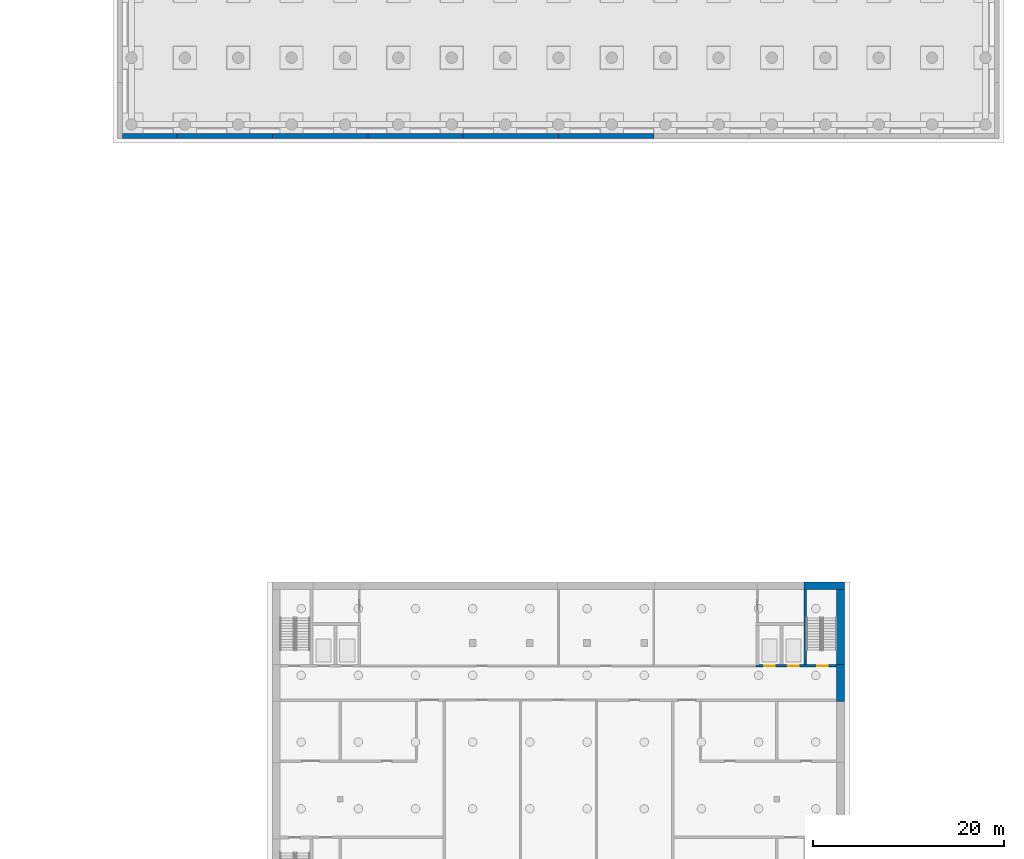
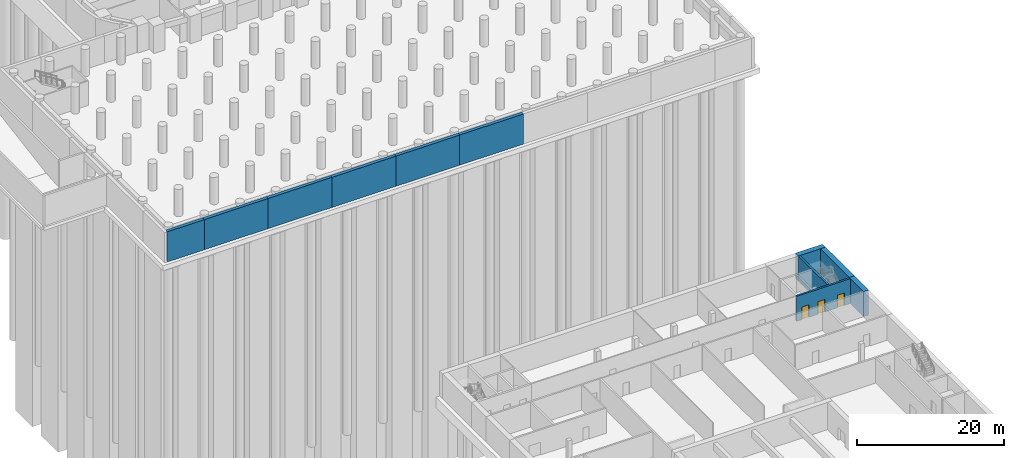
# One storey, part 8 of 23: 11 walls, 3 doors, 3 openings.
"""IFC4 building model written with IfcOpenShell, lengths in metres."""

import ifcopenshell
import ifcopenshell.guid

model = None  # the IFC model being written
_history = None  # IfcOwnerHistory: only IFC2X3 demands one
_inside = {}  # id of a spatial element -> (the spatial element, [elements in it])
_under = {}  # id of a project, library or spatial element -> (it, [spatial elements below it])
_declared = {}  # id of a project -> (the project, [libraries it declares])
_typed = {}  # id of a type object -> (the type object, [elements of that type])
_made_of = {}  # id of a material, layer set ... -> (it, [elements and type objects made of it])


def new_model(schema):
    """Start an empty IFC model of exactly this schema.

    Asked for "IFC4X3", IfcOpenShell would pick the latest addendum, in which some entities
    have other attributes; the version numbers below select the first issue.
    IFC2X3 requires an IfcOwnerHistory on every rooted entity: one is made here for all.
    """
    global model, _history
    if schema == "IFC4X3":
        model = ifcopenshell.file(schema_version=(4, 3, 0, 0))
    else:
        model = ifcopenshell.file(schema=schema)
    _inside.clear()
    _under.clear()
    _declared.clear()
    _typed.clear()
    _made_of.clear()
    _history = None
    if model.schema == "IFC2X3":
        org = make("IfcOrganization", Name="unknown")
        user = make(
            "IfcPersonAndOrganization",
            ThePerson=make("IfcPerson", FamilyName="unknown"),
            TheOrganization=org,
        )
        app = make(
            "IfcApplication",
            ApplicationDeveloper=org,
            Version="unknown",
            ApplicationFullName="unknown",
            ApplicationIdentifier="unknown",
        )
        _history = make(
            "IfcOwnerHistory",
            OwningUser=user,
            OwningApplication=app,
            ChangeAction="ADDED",
            CreationDate=0,
        )
    return model


def make(cls, **values):
    """One entity of the class cls with the attributes given. An attribute that is None is left unset."""
    return model.create_entity(
        cls, **{name: value for name, value in values.items() if value is not None}
    )


def rooted(cls, **values):
    """An entity with a GlobalId (a new one), such as an element, a storey or a relation."""
    return make(cls, GlobalId=ifcopenshell.guid.new(), OwnerHistory=_history, **values)


def si_unit(unit_type, name, prefix=None):
    """IfcSIUnit, for example si_unit("LENGTHUNIT", "METRE", prefix="MILLI")."""
    return make("IfcSIUnit", UnitType=unit_type, Prefix=prefix, Name=name)


def assignment(units):
    """IfcUnitAssignment: the units of a project."""
    return None if units is None else make("IfcUnitAssignment", Units=units)


def point(xyz):
    """IfcCartesianPoint."""
    return None if xyz is None else make("IfcCartesianPoint", Coordinates=xyz)


def direction(xyz):
    """IfcDirection."""
    return None if xyz is None else make("IfcDirection", DirectionRatios=xyz)


def frame(location, z_axis=None, x_axis=None):
    """IfcAxis2Placement3D, a coordinate frame: its origin and axes. An axis left out is left unset."""
    return make(
        "IfcAxis2Placement3D",
        Location=point(location),
        Axis=direction(z_axis),
        RefDirection=direction(x_axis),
    )


def frame_2d(location, x_axis=None):
    """IfcAxis2Placement2D, a coordinate frame in the plane: its origin and x axis."""
    return make(
        "IfcAxis2Placement2D", Location=point(location), RefDirection=direction(x_axis)
    )


def origin():
    """The frame at (0, 0, 0) with its axes left unset."""
    return frame((0.0, 0.0, 0.0))


def place(relative_to, where):
    """IfcLocalPlacement: puts the frame where relative to a parent placement (None: the world)."""
    return make(
        "IfcLocalPlacement", PlacementRelTo=relative_to, RelativePlacement=where
    )


def context(
    kind, dimensions, precision=None, world=None, true_north=None, identifier=None
):
    """IfcGeometricRepresentationContext, for example the 3D "Model" context."""
    return make(
        "IfcGeometricRepresentationContext",
        ContextIdentifier=identifier,
        ContextType=kind,
        CoordinateSpaceDimension=dimensions,
        Precision=precision,
        WorldCoordinateSystem=world,
        TrueNorth=true_north,
    )


def subcontext(parent, identifier, kind, view, scale=None):
    """IfcGeometricRepresentationSubContext, for example "Body" below "Model"."""
    return make(
        "IfcGeometricRepresentationSubContext",
        ContextIdentifier=identifier,
        ContextType=kind,
        ParentContext=parent,
        TargetScale=scale,
        TargetView=view,
    )


def project(units=None, contexts=None):
    """IfcProject with its units and contexts."""
    return rooted(
        "IfcProject",
        Name="project",
        RepresentationContexts=contexts,
        UnitsInContext=assignment(units),
    )


def spatial(cls, under=None, at=None, **own):
    """A site, building, storey or space (cls), placed at a placement, below another one or the project."""
    s = rooted(cls, ObjectPlacement=at, **own)
    if under is not None:
        _under.setdefault(under.id(), (under, []))[1].append(s)
    return s


def polyline(points):
    """IfcPolyline through the points."""
    return make("IfcPolyline", Points=[point(p) for p in points])


def profile(cls, at=None, kind="AREA", **sizes):
    """A parametric profile (cls). Its sizes go by their IFC names, for example OverallWidth=200.0."""
    return make(cls, ProfileType=kind, Position=at, **sizes)


def rectangle(**sizes):
    """IfcRectangleProfileDef."""
    return profile("IfcRectangleProfileDef", **sizes)


def outline(outer, holes=None, kind="AREA"):
    """IfcArbitraryClosedProfileDef: a profile drawn as a closed curve; with holes, ...WithVoids."""
    if holes is None:
        return make("IfcArbitraryClosedProfileDef", ProfileType=kind, OuterCurve=outer)
    return make(
        "IfcArbitraryProfileDefWithVoids",
        ProfileType=kind,
        OuterCurve=outer,
        InnerCurves=holes,
    )


def extrude(swept, where, along, depth):
    """IfcExtrudedAreaSolid: the profile swept, set in the frame where, extruded along a direction by depth."""
    return make(
        "IfcExtrudedAreaSolid",
        SweptArea=swept,
        Position=where,
        ExtrudedDirection=direction(along),
        Depth=depth,
    )


def shape(context_of_items, identifier, shape_type, items):
    """IfcShapeRepresentation: the items that make up one representation, for example the "Body"."""
    return make(
        "IfcShapeRepresentation",
        ContextOfItems=context_of_items,
        RepresentationIdentifier=identifier,
        RepresentationType=shape_type,
        Items=items,
    )


def material(Name=None, Category=None):
    """IfcMaterial."""
    return make("IfcMaterial", Name=Name, Category=Category)


def layer(
    of_material, thickness, ventilated=None, Name=None, Category=None, Priority=None
):
    """IfcMaterialLayer: one layer of a wall or slab, of a material (None: an air gap)."""
    return make(
        "IfcMaterialLayer",
        Material=of_material,
        LayerThickness=thickness,
        IsVentilated=ventilated,
        Name=Name,
        Category=Category,
        Priority=Priority,
    )


def layer_set(layers, Name=None):
    """IfcMaterialLayerSet."""
    return make("IfcMaterialLayerSet", MaterialLayers=layers, LayerSetName=Name)


def made_of(thing, what):
    """Note that an element or type object is made of a material, layer set ...; save() writes the relation."""
    if what is not None:
        _made_of.setdefault(what.id(), (what, []))[1].append(thing)
    return thing


def type_object(cls, material=None, **own):
    """A type object (cls), such as IfcWallType, which elements share."""
    return made_of(rooted(cls, **own), material)


def element(
    cls,
    number,
    at=None,
    inside=None,
    cuts=None,
    type_object=None,
    material=None,
    context=None,
    identifier="Body",
    shape_type=None,
    held_by="IfcProductDefinitionShape",
    body=None,
    shapes=None,
    **own,
):
    """One element of the class cls, such as IfcWall. Its Tag is "e" and its number.

    at: its placement. inside: the storey or other place that contains it. cuts: it is an
    opening in that element (IfcRelVoidsElement). A single representation is given by context,
    identifier, shape_type and body (its items); several are given by shapes. held_by: the class
    of the entity that holds the representations. save() writes the other relations.
    """
    e = rooted(cls, Tag="e%d" % number, ObjectPlacement=at, **own)
    if body is not None:
        shapes = [shape(context, identifier, shape_type, body)]
    if shapes is not None:
        e.Representation = make(held_by, Representations=shapes)
    if inside is not None:
        _inside.setdefault(inside.id(), (inside, []))[1].append(e)
    if cuts is not None:
        rooted(
            "IfcRelVoidsElement", RelatingBuildingElement=cuts, RelatedOpeningElement=e
        )
    if type_object is not None:
        _typed.setdefault(type_object.id(), (type_object, []))[1].append(e)
    return made_of(e, material)


def fill(opening, filler):
    """IfcRelFillsElement: the door or window that sits in an opening."""
    return rooted(
        "IfcRelFillsElement",
        RelatingOpeningElement=opening,
        RelatedBuildingElement=filler,
    )


def aggregate(whole, parts):
    """IfcRelAggregates: a whole, such as a stair, and the parts it consists of."""
    return rooted("IfcRelAggregates", RelatingObject=whole, RelatedObjects=parts)


def save(model, path):
    """Write the relations noted so far, then the file.

    IfcRelAggregates (storeys below a building ...), IfcRelContainedInSpatialStructure (elements
    in a storey), IfcRelDefinesByType, IfcRelAssociatesMaterial and IfcRelDeclares: one each for
    every whole, place, type object, material and project.
    """
    for whole, parts in _under.values():
        aggregate(whole, parts)
    for where, things in _inside.values():
        rooted(
            "IfcRelContainedInSpatialStructure",
            RelatedElements=things,
            RelatingStructure=where,
        )
    for kind, things in _typed.values():
        rooted("IfcRelDefinesByType", RelatedObjects=things, RelatingType=kind)
    for what, things in _made_of.values():
        rooted("IfcRelAssociatesMaterial", RelatedObjects=things, RelatingMaterial=what)
    for by, libraries in _declared.values():
        rooted("IfcRelDeclares", RelatingContext=by, RelatedDefinitions=libraries)
    model.write(path)


model = new_model("IFC4")

# Units and contexts
model_context = context("Model", 3, precision=1e-05, world=origin(), true_north=direction((0.0, 1.0)))
body_context = subcontext(model_context, "Body", "Model", "MODEL_VIEW")
ifc_project = project(units=[si_unit("LENGTHUNIT", "METRE"), si_unit("AREAUNIT", "SQUARE_METRE"), si_unit("VOLUMEUNIT", "CUBIC_METRE"), si_unit("PLANEANGLEUNIT", "RADIAN"), si_unit("MASSUNIT", "GRAM", prefix="KILO")], contexts=[model_context])

# Site, building, storey
site_placement = place(None, origin())
site = spatial("IfcSite", under=ifc_project, at=site_placement, CompositionType="ELEMENT")
building_placement = place(site_placement, origin())
building = spatial("IfcBuilding", under=site, at=building_placement, Name="Kiln Ring Residences", CompositionType="ELEMENT")
storey_placement = place(building_placement, frame((0.0, 0.0, -4.5)))
storey = spatial("IfcBuildingStorey", under=building, at=storey_placement, Name="B1", CompositionType="ELEMENT", Elevation=-4.5)

# Walls
ifc_material_1 = material(Name="Concrete C50/60", Category="concrete")
ifc_layer_1 = layer(ifc_material_1, 0.5)
ifc_layer_set_1 = layer_set([ifc_layer_1], Name="Basement retaining wall 500 C50/60")
wall_type_1 = type_object("IfcWallType", Name="Basement retaining wall 500 C50/60", PredefinedType="SOLIDWALL", material=ifc_layer_set_1)
placement = place(storey_placement, frame((0.0, 0.0, -0.5)))
element("IfcWall", 1, at=placement, inside=storey, type_object=wall_type_1, Name="Basement retaining wall B1 1", PredefinedType="SOLIDWALL", context=body_context, shape_type="SweptSolid", body=[
    extrude(outline(polyline([(-45.75, -65.35009765625), (-45.75, -65.85009765625), (-40.0, -65.85009765625), (-40.0, -65.35009765625), (-45.75, -65.35009765625)])), origin(), (0.0, 0.0, 1.0), 5.0),
])
element("IfcWall", 2, at=placement, inside=storey, type_object=wall_type_1, Name="Basement retaining wall B1 8", PredefinedType="SOLIDWALL", context=body_context, shape_type="SweptSolid", body=[
    extrude(outline(polyline([(-30.0, -65.85009765625), (-30.0, -65.35009765625), (-40.0, -65.35009765625), (-40.0, -65.85009765625), (-30.0, -65.85009765625)])), origin(), (0.0, 0.0, 1.0), 5.0),
])
element("IfcWall", 3, at=placement, inside=storey, type_object=wall_type_1, Name="Basement retaining wall B1 10", PredefinedType="SOLIDWALL", context=body_context, shape_type="SweptSolid", body=[
    extrude(outline(polyline([(-20.0, -65.85009765625), (-20.0, -65.35009765625), (-30.0, -65.35009765625), (-30.0, -65.85009765625), (-20.0, -65.85009765625)])), origin(), (0.0, 0.0, 1.0), 5.0),
])
element("IfcWall", 4, at=placement, inside=storey, type_object=wall_type_1, Name="Basement retaining wall B1 17", PredefinedType="SOLIDWALL", context=body_context, shape_type="SweptSolid", body=[
    extrude(outline(polyline([(-10.0, -65.85009765625), (-10.0, -65.35009765625), (-20.0, -65.35009765625), (-20.0, -65.85009765625), (-10.0, -65.85009765625)])), origin(), (0.0, 0.0, 1.0), 5.0),
])
element("IfcWall", 5, at=placement, inside=storey, type_object=wall_type_1, Name="Basement retaining wall B1 19", PredefinedType="SOLIDWALL", context=body_context, shape_type="SweptSolid", body=[
    extrude(outline(polyline([(0.0, -65.85009765625), (0.0, -65.35009765625), (-10.0, -65.35009765625), (-10.0, -65.85009765625), (0.0, -65.85009765625)])), origin(), (0.0, 0.0, 1.0), 5.0),
])
element("IfcWall", 6, at=placement, inside=storey, type_object=wall_type_1, Name="Basement retaining wall B1 21", PredefinedType="SOLIDWALL", context=body_context, shape_type="SweptSolid", body=[
    extrude(outline(polyline([(10.0, -65.85009765625), (10.0, -65.35009765625), (0.0, -65.35009765625), (0.0, -65.85009765625), (10.0, -65.85009765625)])), origin(), (0.0, 0.0, 1.0), 5.0),
])
ifc_material_2 = material(Name="Concrete C40/50", Category="concrete")
ifc_layer_2 = layer(ifc_material_2, 0.800048828125)
ifc_layer_set_2 = layer_set([ifc_layer_2], Name="Hall Exposed brick-faced reinforced concrete C40/50 wall 800")
wall_type_2 = type_object("IfcWallType", Name="Hall Exposed brick-faced reinforced concrete C40/50 wall 800", PredefinedType="SOLIDWALL", material=ifc_layer_set_2)
wall_7_placement = place(storey_placement, frame((25.75, -112.800048828125, 0.0), z_axis=(0.0, 0.0, 1.0), x_axis=(1.0, 0.0, 0.0)))
element("IfcWall", 7, at=wall_7_placement, inside=storey, type_object=wall_type_2, Name="Hall wall B1 34", PredefinedType="SOLIDWALL", context=body_context, shape_type="SweptSolid", body=[
    extrude(rectangle(XDim=4.25, YDim=0.800048828125, at=frame_2d((2.125, 0.0))), origin(), (0.0, 0.0, 1.0), 4.14990234375),
])
wall_8_placement = place(storey_placement, frame((29.60009765625, -121.050048828125, 0.0), z_axis=(0.0, 0.0, 1.0), x_axis=(0.0, -1.0, 0.0)))
element("IfcWall", 8, at=wall_8_placement, inside=storey, type_object=wall_type_2, Name="Hall wall B1 72", PredefinedType="SOLIDWALL", context=body_context, shape_type="SweptSolid", body=[
    extrude(rectangle(XDim=3.874755859375, YDim=0.800048828125, at=frame_2d((1.9375, 0.0))), origin(), (0.0, 0.0, 1.0), 4.14990234375),
])
wall_9_placement = place(storey_placement, frame((29.60009765625, -113.199951171875, 0.0), z_axis=(0.0, 0.0, 1.0), x_axis=(0.0, -1.0, 0.0)))
element("IfcWall", 9, at=wall_9_placement, inside=storey, type_object=wall_type_2, Name="Hall wall B1 73", PredefinedType="SOLIDWALL", context=body_context, shape_type="SweptSolid", body=[
    extrude(rectangle(XDim=8.14990234375, YDim=0.800048828125, at=frame_2d((4.074951171875, 0.0))), origin(), (0.0, 0.0, 1.0), 4.14990234375),
])

# Wall, openings, doors
ifc_material_3 = material(Name="Concrete C40/50", Category="concrete")
ifc_layer_3 = layer(ifc_material_3, 0.300048828125)
ifc_layer_set_3 = layer_set([ifc_layer_3], Name="Hall Reinforced concrete C40/50 core wall 300")
wall_type_3 = type_object("IfcWallType", Name="Hall Reinforced concrete C40/50 core wall 300", PredefinedType="SOLIDWALL", material=ifc_layer_set_3)
wall_10_placement = place(storey_placement, frame((20.75, -121.199951171875, 0.0), z_axis=(0.0, 0.0, 1.0), x_axis=(1.0, 0.0, 0.0)))
wall_10 = element("IfcWall", 10, at=wall_10_placement, inside=storey, type_object=wall_type_3, Name="Hall wall B1 25", PredefinedType="SOLIDWALL", context=body_context, shape_type="SweptSolid", body=[
    extrude(rectangle(XDim=8.449951171875, YDim=0.300048828125, at=frame_2d((4.22509765625, 0.0))), origin(), (0.0, 0.0, 1.0), 4.14990234375),
])
opening_1_placement = place(wall_10_placement, frame((0.85009765625, 0.0, 0.0)))
opening_1 = element("IfcOpeningElement", 11, at=opening_1_placement, cuts=wall_10, Name="Opening B1-03", PredefinedType="OPENING", context=body_context, shape_type="SweptSolid", body=[
    extrude(rectangle(XDim=1.10009765625, YDim=2.10009765625, at=frame_2d((0.550048828125, 1.050048828125))), frame((0.0, 0.159912109375, 0.0), z_axis=(0.0, -1.0, 0.0), x_axis=(1.0, 0.0, 0.0)), (0.0, 0.0, 1.0), 0.320068359375),
])
opening_2_placement = place(wall_10_placement, frame((3.35009765625, 0.0, 0.0)))
opening_2 = element("IfcOpeningElement", 12, at=opening_2_placement, cuts=wall_10, Name="Opening B1-04", PredefinedType="OPENING", context=body_context, shape_type="SweptSolid", body=[
    extrude(rectangle(XDim=1.10009765625, YDim=2.10009765625, at=frame_2d((0.550048828125, 1.050048828125))), frame((0.0, 0.159912109375, 0.0), z_axis=(0.0, -1.0, 0.0), x_axis=(1.0, 0.0, 0.0)), (0.0, 0.0, 1.0), 0.320068359375),
])
opening_3_placement = place(wall_10_placement, frame((6.39990234375, 0.0, 0.0)))
opening_3 = element("IfcOpeningElement", 13, at=opening_3_placement, cuts=wall_10, Name="Opening B1-07", PredefinedType="OPENING", context=body_context, shape_type="SweptSolid", body=[
    extrude(rectangle(XDim=1.10009765625, YDim=2.10009765625, at=frame_2d((0.550048828125, 1.050048828125))), frame((0.0, 0.159912109375, 0.0), z_axis=(0.0, -1.0, 0.0), x_axis=(1.0, 0.0, 0.0)), (0.0, 0.0, 1.0), 0.320068359375),
])
ifc_material_4 = material(Name="Steel door leaf", Category="steel")
door_type_1 = type_object("IfcDoorType", Name="Hall Lift landing door 1100 x 2100", OperationType="DOUBLE_DOOR_SLIDING", PredefinedType="DOOR", material=ifc_material_4)
door_1_placement = place(opening_1_placement, origin())
door_1 = element("IfcDoor", 14, at=door_1_placement, inside=storey, type_object=door_type_1, Name="Hall door B1-03", OperationType="DOUBLE_DOOR_SLIDING", OverallHeight=2.10009765625, OverallWidth=1.10009765625, PredefinedType="DOOR", context=body_context, shape_type="SweptSolid", body=[
    extrude(rectangle(XDim=1.10009765625, YDim=2.10009765625, at=frame_2d((0.550048828125, 1.050048828125))), frame((0.0, 0.02490234375, 0.0), z_axis=(0.0, -1.0, 0.0), x_axis=(1.0, 0.0, 0.0)), (0.0, 0.0, 1.0), 0.050048828125),
])
fill(opening_1, door_1)
door_2_placement = place(opening_2_placement, origin())
door_2 = element("IfcDoor", 15, at=door_2_placement, inside=storey, type_object=door_type_1, Name="Hall door B1-04", OperationType="DOUBLE_DOOR_SLIDING", OverallHeight=2.10009765625, OverallWidth=1.10009765625, PredefinedType="DOOR", context=body_context, shape_type="SweptSolid", body=[
    extrude(rectangle(XDim=1.10009765625, YDim=2.10009765625, at=frame_2d((0.550048828125, 1.050048828125))), frame((0.0, 0.02490234375, 0.0), z_axis=(0.0, -1.0, 0.0), x_axis=(1.0, 0.0, 0.0)), (0.0, 0.0, 1.0), 0.050048828125),
])
fill(opening_2, door_2)
ifc_material_5 = material(Name="Steel door leaf", Category="steel")
door_type_2 = type_object("IfcDoorType", Name="Hall Stair door 1100 x 2100", OperationType="SINGLE_SWING_LEFT", PredefinedType="DOOR", material=ifc_material_5)
door_3_placement = place(opening_3_placement, origin())
door_3 = element("IfcDoor", 16, at=door_3_placement, inside=storey, type_object=door_type_2, Name="Hall door B1-07", OperationType="SINGLE_SWING_LEFT", OverallHeight=2.10009765625, OverallWidth=1.10009765625, PredefinedType="DOOR", context=body_context, shape_type="SweptSolid", body=[
    extrude(rectangle(XDim=1.10009765625, YDim=2.10009765625, at=frame_2d((0.550048828125, 1.050048828125))), frame((0.0, 0.02490234375, 0.0), z_axis=(0.0, -1.0, 0.0), x_axis=(1.0, 0.0, 0.0)), (0.0, 0.0, 1.0), 0.050048828125),
])
fill(opening_3, door_3)

# Wall
wall_11_placement = place(storey_placement, frame((25.89990234375, -121.050048828125, 0.0), z_axis=(0.0, 0.0, 1.0), x_axis=(0.0, 1.0, 0.0)))
element("IfcWall", 17, at=wall_11_placement, inside=storey, type_object=wall_type_3, Name="Hall wall B1 66", PredefinedType="SOLIDWALL", context=body_context, shape_type="SweptSolid", body=[
    extrude(rectangle(XDim=7.85009765625, YDim=0.300048828125, at=frame_2d((3.925048828125, 0.0))), origin(), (0.0, 0.0, 1.0), 4.14990234375),
])

save(model, "model.ifc")
